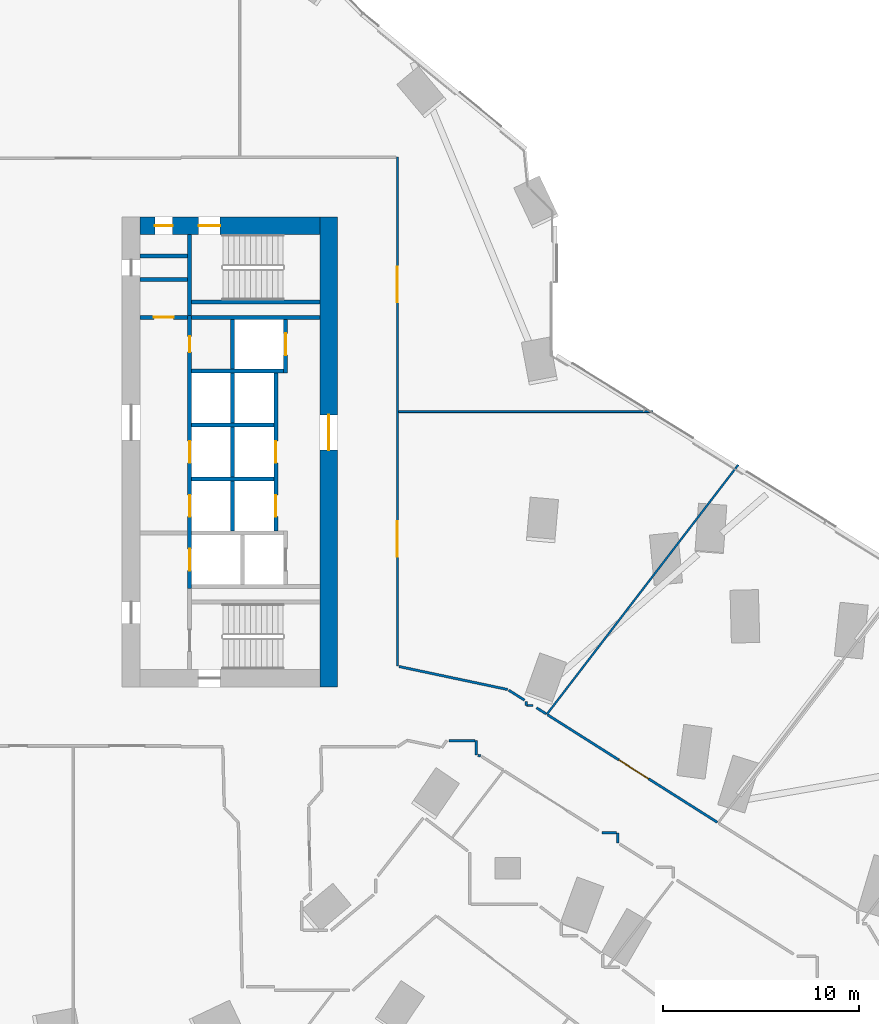
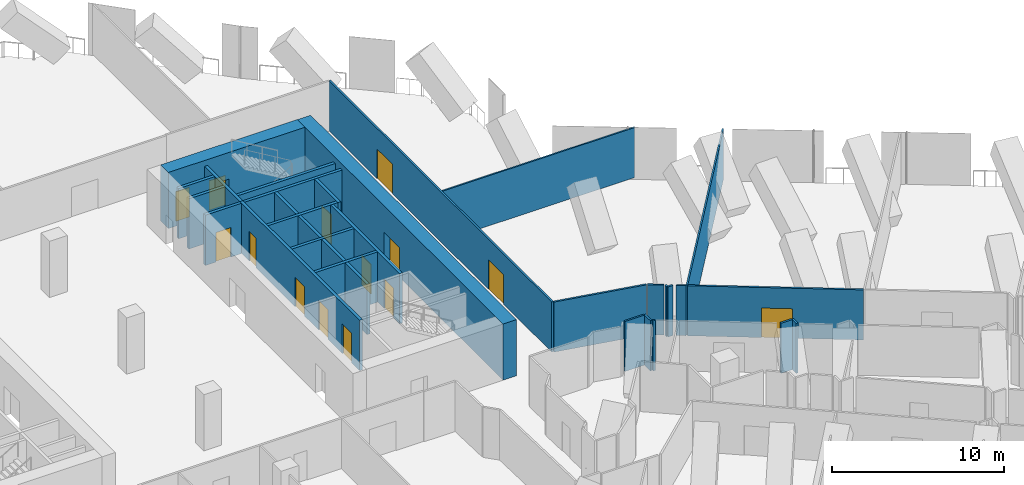
# One storey, part 28 of 32: 32 walls, 14 doors, 14 openings.
"""IFC4 building model written with IfcOpenShell, lengths in metres."""

from ifc_helpers import new_model, si_unit, direction, frame, frame_2d, origin, place, context, subcontext, project, spatial, rectangle, extrude, material, layer, layer_set, type_object, element, fill, save


model = new_model("IFC4")

# Units and contexts
model_context = context("Model", 3, precision=1e-05, world=origin(), true_north=direction((0.0, 1.0)))
body_context = subcontext(model_context, "Body", "Model", "MODEL_VIEW")
ifc_project = project(units=[si_unit("LENGTHUNIT", "METRE"), si_unit("AREAUNIT", "SQUARE_METRE"), si_unit("VOLUMEUNIT", "CUBIC_METRE"), si_unit("PLANEANGLEUNIT", "RADIAN"), si_unit("MASSUNIT", "GRAM", prefix="KILO")], contexts=[model_context])

# Site, building, storey
site_placement = place(None, origin())
site = spatial("IfcSite", under=ifc_project, at=site_placement, CompositionType="ELEMENT")
building_placement = place(site_placement, origin())
building = spatial("IfcBuilding", under=site, at=building_placement, Name="Orlundy Tower", CompositionType="ELEMENT")
storey_placement = place(building_placement, frame((0.0, 0.0, 33.300048828125)))
storey = spatial("IfcBuildingStorey", under=building, at=storey_placement, Name="L06", CompositionType="ELEMENT", Elevation=33.300048828125)

# Wall, openings, doors
ifc_material_1 = material(Name="Concrete C80/95", Category="concrete")
ifc_layer_1 = layer(ifc_material_1, 0.89990234375)
ifc_layer_set_1 = layer_set([ifc_layer_1], Name="CORE WALL 900 C80/95")
wall_type_1 = type_object("IfcWallType", Name="CORE WALL 900 C80/95", PredefinedType="SHEAR", material=ifc_layer_set_1)
wall_1_placement = place(storey_placement, frame((8.89990234375, 11.550048828125, 0.0), z_axis=(0.0, 0.0, 1.0), x_axis=(1.0, 0.0, 0.0)))
wall_1 = element("IfcWall", 1, at=wall_1_placement, inside=storey, type_object=wall_type_1, Name="Core wall E-N L06", PredefinedType="SHEAR", context=body_context, shape_type="SweptSolid", body=[
    extrude(rectangle(XDim=9.2001953125, YDim=0.89990234375, at=frame_2d((4.60009765625, 0.0))), origin(), (0.0, 0.0, 1.0), 4.0),
])
opening_1_placement = place(wall_1_placement, frame((3.0, 0.0, 0.0)))
opening_1 = element("IfcOpeningElement", 2, at=opening_1_placement, cuts=wall_1, Name="Opening 07062", PredefinedType="OPENING", context=body_context, shape_type="SweptSolid", body=[
    extrude(rectangle(XDim=1.10009765625, YDim=2.10009765625, at=frame_2d((0.550048828125, 1.050048828125))), frame((0.0, 0.4599609375, 0.0), z_axis=(0.0, -1.0, 0.0), x_axis=(1.0, 0.0, 0.0)), (0.0, 0.0, 1.0), 0.919921875),
])
opening_2_placement = place(wall_1_placement, frame((0.77001953125, 0.0, 0.0)))
opening_2 = element("IfcOpeningElement", 3, at=opening_2_placement, cuts=wall_1, Name="Opening 07064", PredefinedType="OPENING", context=body_context, shape_type="SweptSolid", body=[
    extrude(rectangle(XDim=0.89990234375, YDim=2.10009765625, at=frame_2d((0.449951171875, 1.050048828125))), frame((0.0, 0.4599609375, 0.0), z_axis=(0.0, -1.0, 0.0), x_axis=(1.0, 0.0, 0.0)), (0.0, 0.0, 1.0), 0.919921875),
])
ifc_material_2 = material(Name="Timber door set", Category="wood")
door_type_1 = type_object("IfcDoorType", Name="Room Door 900x2100", OperationType="SINGLE_SWING_LEFT", PredefinedType="DOOR", material=ifc_material_2)
door_1_placement = place(opening_2_placement, origin())
door_1 = element("IfcDoor", 4, at=door_1_placement, inside=storey, type_object=door_type_1, Name="Store door 07064", OperationType="SINGLE_SWING_LEFT", OverallHeight=2.10009765625, OverallWidth=0.89990234375, PredefinedType="DOOR", context=body_context, shape_type="SweptSolid", body=[
    extrude(rectangle(XDim=0.89990234375, YDim=2.10009765625, at=frame_2d((0.449951171875, 1.050048828125))), frame((0.0, 0.02490234375, 0.0), z_axis=(0.0, -1.0, 0.0), x_axis=(1.0, 0.0, 0.0)), (0.0, 0.0, 1.0), 0.050048828125),
])
fill(opening_2, door_1)
ifc_material_3 = material(Name="Steel door set", Category="steel")
door_type_2 = type_object("IfcDoorType", Name="Stair Door 1100x2100", OperationType="SINGLE_SWING_LEFT", PredefinedType="DOOR", material=ifc_material_3)
door_2_placement = place(opening_1_placement, origin())
door_2 = element("IfcDoor", 5, at=door_2_placement, inside=storey, type_object=door_type_2, Name="Stair door 07062", OperationType="SINGLE_SWING_LEFT", OverallHeight=2.10009765625, OverallWidth=1.10009765625, PredefinedType="DOOR", context=body_context, shape_type="SweptSolid", body=[
    extrude(rectangle(XDim=1.10009765625, YDim=2.10009765625, at=frame_2d((0.550048828125, 1.050048828125))), frame((0.0, 0.02490234375, 0.0), z_axis=(0.0, -1.0, 0.0), x_axis=(1.0, 0.0, 0.0)), (0.0, 0.0, 1.0), 0.050048828125),
])
fill(opening_1, door_2)

# Wall, opening, door
wall_2_placement = place(storey_placement, frame((18.550048828125, -12.0, 0.0), z_axis=(0.0, 0.0, 1.0), x_axis=(0.0, 1.0, 0.0)))
wall_2 = element("IfcWall", 6, at=wall_2_placement, inside=storey, type_object=wall_type_1, Name="Core wall E-E L06", PredefinedType="SHEAR", context=body_context, shape_type="SweptSolid", body=[
    extrude(rectangle(XDim=24.0, YDim=0.89990234375, at=frame_2d((12.0, 0.0))), origin(), (0.0, 0.0, 1.0), 4.0),
])
opening_3_placement = place(wall_2_placement, frame((12.10009765625, 0.0, 0.0)))
opening_3 = element("IfcOpeningElement", 7, at=opening_3_placement, cuts=wall_2, Name="Opening 07059", PredefinedType="OPENING", context=body_context, shape_type="SweptSolid", body=[
    extrude(rectangle(XDim=1.800048828125, YDim=2.10009765625, at=frame_2d((0.89990234375, 1.050048828125))), frame((0.0, 0.4599609375, 0.0), z_axis=(0.0, -1.0, 0.0), x_axis=(1.0, 0.0, 0.0)), (0.0, 0.0, 1.0), 0.919921875),
])
ifc_material_4 = material(Name="Timber door set", Category="wood")
door_type_3 = type_object("IfcDoorType", Name="Lobby Door 1800x2100", OperationType="DOUBLE_DOOR_DOUBLE_SWING", PredefinedType="DOOR", material=ifc_material_4)
door_3_placement = place(opening_3_placement, origin())
door_3 = element("IfcDoor", 8, at=door_3_placement, inside=storey, type_object=door_type_3, Name="Lift lobby door 07059", OperationType="SINGLE_SWING_RIGHT", OverallHeight=2.10009765625, OverallWidth=1.800048828125, PredefinedType="DOOR", context=body_context, shape_type="SweptSolid", body=[
    extrude(rectangle(XDim=1.800048828125, YDim=2.10009765625, at=frame_2d((0.89990234375, 1.050048828125))), frame((0.0, 0.02490234375, 0.0), z_axis=(0.0, -1.0, 0.0), x_axis=(1.0, 0.0, 0.0)), (0.0, 0.0, 1.0), 0.050048828125),
])
fill(opening_3, door_3)

# Walls
ifc_material_5 = material(Name="Gypsum board partition")
ifc_layer_2 = layer(ifc_material_5, 0.10009765625)
ifc_layer_set_2 = layer_set([ifc_layer_2], Name="Floor partition 100")
wall_type_2 = type_object("IfcWallType", Name="Floor partition 100", PredefinedType="PARTITIONING", material=ifc_layer_set_2)
wall_3_placement = place(storey_placement, frame((22.113037109375, 2.056884765625, 0.0), z_axis=(0.0, 0.0, 1.0), x_axis=(1.0, 0.0, 0.0)))
element("IfcWall", 9, at=wall_3_placement, inside=storey, type_object=wall_type_2, Name="wall-int-L06-081", PredefinedType="PARTITIONING", context=body_context, shape_type="SweptSolid", body=[
    extrude(rectangle(XDim=12.966064453125, YDim=0.10009765625, at=frame_2d((6.48291015625, 0.0))), origin(), (0.0, 0.0, 1.0), 3.56005859375),
])
wall_4_placement = place(storey_placement, frame((29.674072265625, -13.39111328125, 0.0), z_axis=(0.0, 0.0, 1.0), x_axis=(0.608731304684, 0.79337645459, 0.0)))
element("IfcWall", 10, at=wall_4_placement, inside=storey, type_object=wall_type_2, Name="wall-int-L06-126", PredefinedType="PARTITIONING", context=body_context, shape_type="SweptSolid", body=[
    extrude(rectangle(XDim=16.052978515625, YDim=0.10009765625, at=frame_2d((8.0263671875, 0.0))), origin(), (0.0, 0.0, 1.0), 3.56005859375),
])
ifc_material_6 = material(Name="Gypsum board partition, double layer")
ifc_layer_3 = layer(ifc_material_6, 0.125)
ifc_layer_set_3 = layer_set([ifc_layer_3], Name="Floor partition 125")
wall_type_3 = type_object("IfcWallType", Name="Floor partition 125", PredefinedType="PARTITIONING", material=ifc_layer_set_3)
wall_5_placement = place(storey_placement, frame((29.14892578125, -13.05810546875, 0.0), z_axis=(0.0, 0.0, 1.0), x_axis=(0.844889827786, -0.534940350791, 0.0)))
element("IfcWall", 11, at=wall_5_placement, inside=storey, type_object=wall_type_3, Name="wall-int-L06-040", PredefinedType="PARTITIONING", context=body_context, shape_type="SweptSolid", body=[
    extrude(rectangle(XDim=0.57177734375, YDim=0.125, at=frame_2d((0.285888671875, 0.0))), origin(), (0.0, 0.0, 1.0), 3.56005859375),
])
wall_6_placement = place(storey_placement, frame((27.73095703125, -12.158935546875, 0.0), z_axis=(0.0, 0.0, 1.0), x_axis=(0.844742160037, -0.535173507431, 0.0)))
element("IfcWall", 12, at=wall_6_placement, inside=storey, type_object=wall_type_3, Name="wall-int-L06-043", PredefinedType="PARTITIONING", context=body_context, shape_type="SweptSolid", body=[
    extrude(rectangle(XDim=0.95654296875, YDim=0.125, at=frame_2d((0.478271484375, 0.0))), origin(), (0.0, 0.0, 1.0), 3.56005859375),
])

# Wall, opening, door
wall_7_placement = place(storey_placement, frame((29.716064453125, -13.41796875, 0.0), z_axis=(0.0, 0.0, 1.0), x_axis=(0.844839535243, -0.535019775047, 0.0)))
wall_7 = element("IfcWall", 13, at=wall_7_placement, inside=storey, type_object=wall_type_3, Name="wall-int-L06-044", PredefinedType="PARTITIONING", context=body_context, shape_type="SweptSolid", body=[
    extrude(rectangle(XDim=10.248046875, YDim=0.125, at=frame_2d((5.1240234375, 0.0))), origin(), (0.0, 0.0, 1.0), 3.56005859375),
])
opening_4_placement = place(wall_7_placement, frame((4.300048828125, 0.0, 0.0)))
opening_4 = element("IfcOpeningElement", 14, at=opening_4_placement, cuts=wall_7, Name="Opening 07100", PredefinedType="OPENING", context=body_context, shape_type="SweptSolid", body=[
    extrude(rectangle(XDim=1.800048828125, YDim=2.10009765625, at=frame_2d((0.89990234375, 1.050048828125))), frame((0.0, 0.072509765625, 0.0), z_axis=(0.0, -1.0, 0.0), x_axis=(1.0, 0.0, 0.0)), (0.0, 0.0, 1.0), 0.14501953125),
])
ifc_material_7 = material(Name="Timber door leaf", Category="wood")
door_type_4 = type_object("IfcDoorType", Name="Floor door double 1800 FD30S", OperationType="NOTDEFINED", PredefinedType="DOOR", material=ifc_material_7)
door_4_placement = place(opening_4_placement, origin())
door_4 = element("IfcDoor", 15, at=door_4_placement, inside=storey, type_object=door_type_4, Name="Door 07100", OperationType="DOUBLE_DOOR_SINGLE_SWING", OverallHeight=2.10009765625, OverallWidth=1.800048828125, PredefinedType="DOOR", context=body_context, shape_type="SweptSolid", body=[
    extrude(rectangle(XDim=1.800048828125, YDim=2.10009765625, at=frame_2d((0.89990234375, 1.050048828125))), frame((0.0, 0.02490234375, 0.0), z_axis=(0.0, -1.0, 0.0), x_axis=(1.0, 0.0, 0.0)), (0.0, 0.0, 1.0), 0.050048828125),
])
fill(opening_4, door_4)

# Walls
wall_8_placement = place(storey_placement, frame((22.1259765625, -10.949951171875, 0.0), z_axis=(0.0, 0.0, 1.0), x_axis=(0.978293887618, -0.207222270641, 0.0)))
element("IfcWall", 16, at=wall_8_placement, inside=storey, type_object=wall_type_3, Name="wall-int-L06-046", PredefinedType="PARTITIONING", context=body_context, shape_type="SweptSolid", body=[
    extrude(rectangle(XDim=5.67529296875, YDim=0.125, at=frame_2d((2.837646484375, 0.0))), origin(), (0.0, 0.0, 1.0), 3.56005859375),
])
wall_9_placement = place(storey_placement, frame((26.153076171875, -15.48388671875, 0.0), z_axis=(0.0, 0.0, 1.0), x_axis=(0.979226570581, -0.202769138353, 0.0)))
element("IfcWall", 17, at=wall_9_placement, inside=storey, type_object=wall_type_3, Name="wall-int-L06-047", PredefinedType="PARTITIONING", context=body_context, shape_type="SweptSolid", body=[
    extrude(rectangle(XDim=0.148193359375, YDim=0.125, at=frame_2d((0.07421875, 0.0))), origin(), (0.0, 0.0, 1.0), 3.56005859375),
])
wall_10_placement = place(storey_placement, frame((32.489990234375, -19.43603515625, 0.0), z_axis=(0.0, 0.0, 1.0), x_axis=(1.0, 0.0, 0.0)))
element("IfcWall", 18, at=wall_10_placement, inside=storey, type_object=wall_type_3, Name="wall-int-L06-070", PredefinedType="PARTITIONING", context=body_context, shape_type="SweptSolid", body=[
    extrude(rectangle(XDim=0.751953125, YDim=0.125, at=frame_2d((0.3759765625, 0.0))), origin(), (0.0, 0.0, 1.0), 3.56005859375),
])
wall_11_placement = place(storey_placement, frame((24.68505859375, -14.73095703125, 0.0), z_axis=(0.0, 0.0, 1.0), x_axis=(1.0, 0.0, 0.0)))
element("IfcWall", 19, at=wall_11_placement, inside=storey, type_object=wall_type_3, Name="wall-int-L06-077", PredefinedType="PARTITIONING", context=body_context, shape_type="SweptSolid", body=[
    extrude(rectangle(XDim=1.329833984375, YDim=0.125, at=frame_2d((0.6650390625, 0.0))), origin(), (0.0, 0.0, 1.0), 3.56005859375),
])
wall_12_placement = place(storey_placement, frame((28.635009765625, -12.94189453125, 0.0), z_axis=(0.0, 0.0, 1.0), x_axis=(1.0, 0.0, 0.0)))
element("IfcWall", 20, at=wall_12_placement, inside=storey, type_object=wall_type_3, Name="wall-int-L06-078", PredefinedType="PARTITIONING", context=body_context, shape_type="SweptSolid", body=[
    extrude(rectangle(XDim=0.33203125, YDim=0.125, at=frame_2d((0.166015625, 0.0))), origin(), (0.0, 0.0, 1.0), 3.56005859375),
])
wall_13_placement = place(storey_placement, frame((33.303955078125, -19.951904296875, 0.0), z_axis=(0.0, 0.0, 1.0), x_axis=(0.0, 1.0, 0.0)))
element("IfcWall", 21, at=wall_13_placement, inside=storey, type_object=wall_type_3, Name="wall-int-L06-136", PredefinedType="PARTITIONING", context=body_context, shape_type="SweptSolid", body=[
    extrude(rectangle(XDim=0.515869140625, YDim=0.125, at=frame_2d((0.2578125, 0.0))), origin(), (0.0, 0.0, 1.0), 3.56005859375),
])
wall_14_placement = place(storey_placement, frame((28.635009765625, -12.94189453125, 0.0), z_axis=(0.0, 0.0, 1.0), x_axis=(0.0, 1.0, 0.0)))
element("IfcWall", 22, at=wall_14_placement, inside=storey, type_object=wall_type_3, Name="wall-int-L06-139", PredefinedType="PARTITIONING", context=body_context, shape_type="SweptSolid", body=[
    extrude(rectangle(XDim=0.2099609375, YDim=0.125, at=frame_2d((0.10498046875, 0.0))), origin(), (0.0, 0.0, 1.0), 3.56005859375),
])
wall_15_placement = place(storey_placement, frame((26.077880859375, -15.468017578125, 0.0), z_axis=(0.0, 0.0, 1.0), x_axis=(0.0, 1.0, 0.0)))
element("IfcWall", 23, at=wall_15_placement, inside=storey, type_object=wall_type_3, Name="wall-int-L06-140", PredefinedType="PARTITIONING", context=body_context, shape_type="SweptSolid", body=[
    extrude(rectangle(XDim=0.737060546875, YDim=0.125, at=frame_2d((0.36865234375, 0.0))), origin(), (0.0, 0.0, 1.0), 3.56005859375),
])

# Wall, openings, doors
wall_16_placement = place(storey_placement, frame((22.051025390625, 15.050048828125, 0.0), z_axis=(0.0, 0.0, 1.0), x_axis=(0.0, -1.0, 0.0)))
wall_16 = element("IfcWall", 24, at=wall_16_placement, inside=storey, type_object=wall_type_3, Name="wall-int-L06-143", PredefinedType="PARTITIONING", context=body_context, shape_type="SweptSolid", body=[
    extrude(rectangle(XDim=25.984130859375, YDim=0.125, at=frame_2d((12.9921875, 0.0))), origin(), (0.0, 0.0, 1.0), 3.56005859375),
])
opening_5_placement = place(wall_16_placement, frame((18.593017578125, 0.0, 0.0)))
opening_5 = element("IfcOpeningElement", 25, at=opening_5_placement, cuts=wall_16, Name="Opening 07126", PredefinedType="OPENING", context=body_context, shape_type="SweptSolid", body=[
    extrude(rectangle(XDim=1.800048828125, YDim=2.10009765625, at=frame_2d((0.89990234375, 1.050048828125))), frame((0.0, 0.072509765625, 0.0), z_axis=(0.0, -1.0, 0.0), x_axis=(1.0, 0.0, 0.0)), (0.0, 0.0, 1.0), 0.14501953125),
])
opening_6_placement = place(wall_16_placement, frame((5.60009765625, 0.0, 0.0)))
opening_6 = element("IfcOpeningElement", 26, at=opening_6_placement, cuts=wall_16, Name="Opening 07127", PredefinedType="OPENING", context=body_context, shape_type="SweptSolid", body=[
    extrude(rectangle(XDim=1.800048828125, YDim=2.10009765625, at=frame_2d((0.89990234375, 1.050048828125))), frame((0.0, 0.072509765625, 0.0), z_axis=(0.0, -1.0, 0.0), x_axis=(1.0, 0.0, 0.0)), (0.0, 0.0, 1.0), 0.14501953125),
])
door_5_placement = place(opening_5_placement, origin())
door_5 = element("IfcDoor", 27, at=door_5_placement, inside=storey, type_object=door_type_4, Name="Door 07126", OperationType="DOUBLE_DOOR_SINGLE_SWING", OverallHeight=2.10009765625, OverallWidth=1.800048828125, PredefinedType="DOOR", context=body_context, shape_type="SweptSolid", body=[
    extrude(rectangle(XDim=1.800048828125, YDim=2.10009765625, at=frame_2d((0.89990234375, 1.050048828125))), frame((0.0, 0.02490234375, 0.0), z_axis=(0.0, -1.0, 0.0), x_axis=(1.0, 0.0, 0.0)), (0.0, 0.0, 1.0), 0.050048828125),
])
fill(opening_5, door_5)
door_6_placement = place(opening_6_placement, origin())
door_6 = element("IfcDoor", 28, at=door_6_placement, inside=storey, type_object=door_type_4, Name="Door 07127", OperationType="DOUBLE_DOOR_SINGLE_SWING", OverallHeight=2.10009765625, OverallWidth=1.800048828125, PredefinedType="DOOR", context=body_context, shape_type="SweptSolid", body=[
    extrude(rectangle(XDim=1.800048828125, YDim=2.10009765625, at=frame_2d((0.89990234375, 1.050048828125))), frame((0.0, 0.02490234375, 0.0), z_axis=(0.0, -1.0, 0.0), x_axis=(1.0, 0.0, 0.0)), (0.0, 0.0, 1.0), 0.050048828125),
])
fill(opening_6, door_6)

# Walls
ifc_material_8 = material(Name="Concrete C40/50", Category="concrete")
ifc_layer_4 = layer(ifc_material_8, 0.199951171875)
ifc_layer_set_4 = layer_set([ifc_layer_4], Name="Load-bearing Shaft Wall 200")
wall_type_4 = type_object("IfcWallType", Name="Load-bearing Shaft Wall 200", PredefinedType="SOLIDWALL", material=ifc_layer_set_4)
wall_17_placement = place(storey_placement, frame((11.43994140625, 11.10009765625, 0.0), z_axis=(0.0, 0.0, 1.0), x_axis=(0.0, -1.0, 0.0)))
element("IfcWall", 29, at=wall_17_placement, inside=storey, type_object=wall_type_4, Name="Shaft wall E07-stair-end-s", PredefinedType="SOLIDWALL", context=body_context, shape_type="SweptSolid", body=[
    extrude(rectangle(XDim=4.125, YDim=0.199951171875, at=frame_2d((2.0625, 0.0))), origin(), (0.0, 0.0, 1.0), 3.579833984375),
])
wall_18_placement = place(storey_placement, frame((11.5400390625, 7.64990234375, 0.0), z_axis=(0.0, 0.0, 1.0), x_axis=(1.0, 0.0, 0.0)))
element("IfcWall", 30, at=wall_18_placement, inside=storey, type_object=wall_type_4, Name="Shaft wall E07-stair-side-s", PredefinedType="SOLIDWALL", context=body_context, shape_type="SweptSolid", body=[
    extrude(rectangle(XDim=6.56005859375, YDim=0.199951171875, at=frame_2d((3.280029296875, 0.0))), origin(), (0.0, 0.0, 1.0), 3.579833984375),
])

# Wall, opening, door
ifc_material_9 = material(Name="Gypsum board partition on steel studs", Category="steel")
ifc_layer_5 = layer(ifc_material_9, 0.199951171875)
ifc_layer_set_5 = layer_set([ifc_layer_5], Name="Partition 200")
wall_type_5 = type_object("IfcWallType", Name="Partition 200", PredefinedType="PARTITIONING", material=ifc_layer_set_5)
wall_19_placement = place(storey_placement, frame((8.89990234375, 6.875, 0.0), z_axis=(0.0, 0.0, 1.0), x_axis=(1.0, 0.0, 0.0)))
wall_19 = element("IfcWall", 31, at=wall_19_placement, inside=storey, type_object=wall_type_5, Name="Partition wall E07-end-s", PredefinedType="PARTITIONING", context=body_context, shape_type="SweptSolid", body=[
    extrude(rectangle(XDim=2.440185546875, YDim=0.199951171875, at=frame_2d((1.22021484375, 0.0))), origin(), (0.0, 0.0, 1.0), 3.579833984375),
])
opening_7_placement = place(wall_19_placement, frame((0.719970703125, 0.0, 0.0)))
opening_7 = element("IfcOpeningElement", 32, at=opening_7_placement, cuts=wall_19, Name="Opening 07066", PredefinedType="OPENING", context=body_context, shape_type="SweptSolid", body=[
    extrude(rectangle(XDim=1.0, YDim=2.10009765625, at=frame_2d((0.5, 1.050048828125))), frame((0.0, 0.110107421875, 0.0), z_axis=(0.0, -1.0, 0.0), x_axis=(1.0, 0.0, 0.0)), (0.0, 0.0, 1.0), 0.22021484375),
])
ifc_material_10 = material(Name="Timber door set", Category="wood")
door_type_5 = type_object("IfcDoorType", Name="Accessible Door 1000x2100", OperationType="SINGLE_SWING_LEFT", PredefinedType="DOOR", material=ifc_material_10)
door_7_placement = place(opening_7_placement, origin())
door_7 = element("IfcDoor", 33, at=door_7_placement, inside=storey, type_object=door_type_5, Name="Accessible WC door 07066", OperationType="SINGLE_SWING_RIGHT", OverallHeight=2.10009765625, OverallWidth=1.0, PredefinedType="DOOR", context=body_context, shape_type="SweptSolid", body=[
    extrude(rectangle(XDim=1.0, YDim=2.10009765625, at=frame_2d((0.5, 1.050048828125))), frame((0.0, 0.02490234375, 0.0), z_axis=(0.0, -1.0, 0.0), x_axis=(1.0, 0.0, 0.0)), (0.0, 0.0, 1.0), 0.050048828125),
])
fill(opening_7, door_7)

# Walls
for number, where, z_axis, x_axis, name in (
    (34, (8.89990234375, 10.0, 0.0), (0.0, 0.0, 1.0), (1.0, 0.0, 0.0), "Partition wall E07-room-s0"),
    (35, (8.89990234375, 8.800048828125, 0.0), (0.0, 0.0, 1.0), (1.0, 0.0, 0.0), "Partition wall E07-room-s1"),
):
    element("IfcWall", number, at=place(storey_placement, frame(where, z_axis=z_axis, x_axis=x_axis)), inside=storey, type_object=wall_type_5, Name=name, PredefinedType="PARTITIONING", context=body_context, shape_type="SweptSolid", body=[
        extrude(rectangle(XDim=2.440185546875, YDim=0.199951171875, at=frame_2d((1.22021484375, 0.0))), origin(), (0.0, 0.0, 1.0), 3.579833984375),
    ])
ifc_material_11 = material(Name="Fire-rated blockwork shaft wall", Category="masonry")
ifc_layer_6 = layer(ifc_material_11, 0.199951171875)
ifc_layer_set_6 = layer_set([ifc_layer_6], Name="Shaft Wall 200")
wall_type_6 = type_object("IfcWallType", Name="Shaft Wall 200", PredefinedType="SOLIDWALL", material=ifc_layer_set_6)
wall_20_placement = place(storey_placement, frame((11.5400390625, 6.875, 0.0), z_axis=(0.0, 0.0, 1.0), x_axis=(1.0, 0.0, 0.0)))
element("IfcWall", 36, at=wall_20_placement, inside=storey, type_object=wall_type_6, Name="Shaft wall E07-zone-s", PredefinedType="SOLIDWALL", context=body_context, shape_type="SweptSolid", body=[
    extrude(rectangle(XDim=6.56005859375, YDim=0.199951171875, at=frame_2d((3.280029296875, 0.0))), origin(), (0.0, 0.0, 1.0), 3.579833984375),
])
wall_21_placement = place(storey_placement, frame((11.5400390625, 4.125, 0.0), z_axis=(0.0, 0.0, 1.0), x_axis=(1.0, 0.0, 0.0)))
element("IfcWall", 37, at=wall_21_placement, inside=storey, type_object=wall_type_6, Name="Shaft wall E07-cross-4.125", PredefinedType="SOLIDWALL", context=body_context, shape_type="SweptSolid", body=[
    extrude(rectangle(XDim=4.699951171875, YDim=0.199951171875, at=frame_2d((2.35009765625, 0.0))), origin(), (0.0, 0.0, 1.0), 3.579833984375),
])
for number, where, z_axis, x_axis, name in (
    (38, (11.5400390625, 1.375, 0.0), (0.0, 0.0, 1.0), (1.0, 0.0, 0.0), "Shaft wall E07-cross-1.375"),
    (39, (11.5400390625, -1.375, 0.0), (0.0, 0.0, 1.0), (1.0, 0.0, 0.0), "Shaft wall E07-cross+1.375"),
):
    element("IfcWall", number, at=place(storey_placement, frame(where, z_axis=z_axis, x_axis=x_axis)), inside=storey, type_object=wall_type_6, Name=name, PredefinedType="SOLIDWALL", context=body_context, shape_type="SweptSolid", body=[
        extrude(rectangle(XDim=4.199951171875, YDim=0.199951171875, at=frame_2d((2.10009765625, 0.0))), origin(), (0.0, 0.0, 1.0), 3.579833984375),
    ])

# Wall, openings, doors
wall_22_placement = place(storey_placement, frame((11.43994140625, 6.97509765625, 0.0), z_axis=(0.0, 0.0, 1.0), x_axis=(0.0, -1.0, 0.0)))
wall_22 = element("IfcWall", 40, at=wall_22_placement, inside=storey, type_object=wall_type_6, Name="Shaft wall E07-front-h", PredefinedType="SOLIDWALL", context=body_context, shape_type="SweptSolid", body=[
    extrude(rectangle(XDim=13.9501953125, YDim=0.199951171875, at=frame_2d((6.97509765625, 0.0))), origin(), (0.0, 0.0, 1.0), 3.579833984375),
])
opening_8_placement = place(wall_22_placement, frame((6.425048828125, 0.0, 0.0)))
opening_8 = element("IfcOpeningElement", 41, at=opening_8_placement, cuts=wall_22, Name="Opening 07051", PredefinedType="OPENING", context=body_context, shape_type="SweptSolid", body=[
    extrude(rectangle(XDim=1.10009765625, YDim=2.10009765625, at=frame_2d((0.550048828125, 1.050048828125))), frame((0.0, 0.110107421875, 0.0), z_axis=(0.0, -1.0, 0.0), x_axis=(1.0, 0.0, 0.0)), (0.0, 0.0, 1.0), 0.22021484375),
])
opening_9_placement = place(wall_22_placement, frame((9.175048828125, 0.0, 0.0)))
opening_9 = element("IfcOpeningElement", 42, at=opening_9_placement, cuts=wall_22, Name="Opening 07053", PredefinedType="OPENING", context=body_context, shape_type="SweptSolid", body=[
    extrude(rectangle(XDim=1.10009765625, YDim=2.10009765625, at=frame_2d((0.550048828125, 1.050048828125))), frame((0.0, 0.110107421875, 0.0), z_axis=(0.0, -1.0, 0.0), x_axis=(1.0, 0.0, 0.0)), (0.0, 0.0, 1.0), 0.22021484375),
])
opening_10_placement = place(wall_22_placement, frame((11.925048828125, 0.0, 0.0)))
opening_10 = element("IfcOpeningElement", 43, at=opening_10_placement, cuts=wall_22, Name="Opening 07055", PredefinedType="OPENING", context=body_context, shape_type="SweptSolid", body=[
    extrude(rectangle(XDim=1.10009765625, YDim=2.10009765625, at=frame_2d((0.550048828125, 1.050048828125))), frame((0.0, 0.110107421875, 0.0), z_axis=(0.0, -1.0, 0.0), x_axis=(1.0, 0.0, 0.0)), (0.0, 0.0, 1.0), 0.22021484375),
])
opening_11_placement = place(wall_22_placement, frame((1.074951171875, 0.0, 0.0)))
opening_11 = element("IfcOpeningElement", 44, at=opening_11_placement, cuts=wall_22, Name="Opening 07057", PredefinedType="OPENING", context=body_context, shape_type="SweptSolid", body=[
    extrude(rectangle(XDim=0.800048828125, YDim=2.10009765625, at=frame_2d((0.39990234375, 1.050048828125))), frame((0.0, 0.110107421875, 0.0), z_axis=(0.0, -1.0, 0.0), x_axis=(1.0, 0.0, 0.0)), (0.0, 0.0, 1.0), 0.22021484375),
])
ifc_material_12 = material(Name="Steel door set", Category="steel")
door_type_6 = type_object("IfcDoorType", Name="Landing Door 1100x2100", OperationType="DOUBLE_DOOR_SLIDING", PredefinedType="DOOR", material=ifc_material_12)
door_8_placement = place(opening_8_placement, origin())
door_8 = element("IfcDoor", 45, at=door_8_placement, inside=storey, type_object=door_type_6, Name="Lift landing door LP-10 07051", OperationType="DOUBLE_DOOR_SLIDING", OverallHeight=2.10009765625, OverallWidth=1.10009765625, PredefinedType="DOOR", context=body_context, shape_type="SweptSolid", body=[
    extrude(rectangle(XDim=1.10009765625, YDim=2.10009765625, at=frame_2d((0.550048828125, 1.050048828125))), frame((0.0, 0.02490234375, 0.0), z_axis=(0.0, -1.0, 0.0), x_axis=(1.0, 0.0, 0.0)), (0.0, 0.0, 1.0), 0.050048828125),
])
fill(opening_8, door_8)
door_9_placement = place(opening_9_placement, origin())
door_9 = element("IfcDoor", 46, at=door_9_placement, inside=storey, type_object=door_type_6, Name="Lift landing door LP-07 07053", OperationType="DOUBLE_DOOR_SLIDING", OverallHeight=2.10009765625, OverallWidth=1.10009765625, PredefinedType="DOOR", context=body_context, shape_type="SweptSolid", body=[
    extrude(rectangle(XDim=1.10009765625, YDim=2.10009765625, at=frame_2d((0.550048828125, 1.050048828125))), frame((0.0, 0.02490234375, 0.0), z_axis=(0.0, -1.0, 0.0), x_axis=(1.0, 0.0, 0.0)), (0.0, 0.0, 1.0), 0.050048828125),
])
fill(opening_9, door_9)
door_10_placement = place(opening_10_placement, origin())
door_10 = element("IfcDoor", 47, at=door_10_placement, inside=storey, type_object=door_type_6, Name="Lift landing door FL2 07055", OperationType="DOUBLE_DOOR_SLIDING", OverallHeight=2.10009765625, OverallWidth=1.10009765625, PredefinedType="DOOR", context=body_context, shape_type="SweptSolid", body=[
    extrude(rectangle(XDim=1.10009765625, YDim=2.10009765625, at=frame_2d((0.550048828125, 1.050048828125))), frame((0.0, 0.02490234375, 0.0), z_axis=(0.0, -1.0, 0.0), x_axis=(1.0, 0.0, 0.0)), (0.0, 0.0, 1.0), 0.050048828125),
])
fill(opening_10, door_10)
ifc_material_13 = material(Name="Timber door set", Category="wood")
door_type_7 = type_object("IfcDoorType", Name="Riser Door 800x2100", OperationType="SINGLE_SWING_LEFT", PredefinedType="DOOR", material=ifc_material_13)
door_11_placement = place(opening_11_placement, origin())
door_11 = element("IfcDoor", 48, at=door_11_placement, inside=storey, type_object=door_type_7, Name="Pantry Store door 07057", OperationType="SINGLE_SWING_LEFT", OverallHeight=2.10009765625, OverallWidth=0.800048828125, PredefinedType="DOOR", context=body_context, shape_type="SweptSolid", body=[
    extrude(rectangle(XDim=0.800048828125, YDim=2.10009765625, at=frame_2d((0.39990234375, 1.050048828125))), frame((0.0, 0.02490234375, 0.0), z_axis=(0.0, -1.0, 0.0), x_axis=(1.0, 0.0, 0.0)), (0.0, 0.0, 1.0), 0.050048828125),
])
fill(opening_11, door_11)

# Walls
for number, where, z_axis, x_axis, name in (
    (49, (13.639892578125, 6.77490234375, 0.0), (0.0, 0.0, 1.0), (0.0, -1.0, 0.0), "Shaft wall E07-mid-a"),
    (50, (13.639892578125, 4.02490234375, 0.0), (0.0, 0.0, 1.0), (0.0, -1.0, 0.0), "Shaft wall E07-mid-a.1"),
    (51, (13.639892578125, 1.27490234375, 0.0), (0.0, 0.0, 1.0), (0.0, -1.0, 0.0), "Shaft wall E07-mid-a.2"),
    (52, (13.639892578125, -1.47509765625, 0.0), (0.0, 0.0, 1.0), (0.0, -1.0, 0.0), "Shaft wall E07-mid-a.3"),
):
    element("IfcWall", number, at=place(storey_placement, frame(where, z_axis=z_axis, x_axis=x_axis)), inside=storey, type_object=wall_type_6, Name=name, PredefinedType="SOLIDWALL", context=body_context, shape_type="SweptSolid", body=[
        extrude(rectangle(XDim=2.5498046875, YDim=0.199951171875, at=frame_2d((1.27490234375, 0.0))), origin(), (0.0, 0.0, 1.0), 3.579833984375),
    ])

# Wall, opening, door
wall_23_placement = place(storey_placement, frame((16.340087890625, 6.77490234375, 0.0), z_axis=(0.0, 0.0, 1.0), x_axis=(0.0, -1.0, 0.0)))
wall_23 = element("IfcWall", 53, at=wall_23_placement, inside=storey, type_object=wall_type_6, Name="Shaft wall E07-front-o-a", PredefinedType="SOLIDWALL", context=body_context, shape_type="SweptSolid", body=[
    extrude(rectangle(XDim=2.75, YDim=0.199951171875, at=frame_2d((1.375, 0.0))), origin(), (0.0, 0.0, 1.0), 3.579833984375),
])
opening_12_placement = place(wall_23_placement, frame((0.72509765625, 0.0, 0.0)))
opening_12 = element("IfcOpeningElement", 54, at=opening_12_placement, cuts=wall_23, Name="Opening 07050", PredefinedType="OPENING", context=body_context, shape_type="SweptSolid", body=[
    extrude(rectangle(XDim=1.10009765625, YDim=2.10009765625, at=frame_2d((0.550048828125, 1.050048828125))), frame((0.0, 0.110107421875, 0.0), z_axis=(0.0, -1.0, 0.0), x_axis=(1.0, 0.0, 0.0)), (0.0, 0.0, 1.0), 0.22021484375),
])
door_12_placement = place(opening_12_placement, origin())
door_12 = element("IfcDoor", 55, at=door_12_placement, inside=storey, type_object=door_type_6, Name="Lift landing door LV-02 07050", OperationType="DOUBLE_DOOR_SLIDING", OverallHeight=2.10009765625, OverallWidth=1.10009765625, PredefinedType="DOOR", context=body_context, shape_type="SweptSolid", body=[
    extrude(rectangle(XDim=1.10009765625, YDim=2.10009765625, at=frame_2d((0.550048828125, 1.050048828125))), frame((0.0, 0.02490234375, 0.0), z_axis=(0.0, -1.0, 0.0), x_axis=(1.0, 0.0, 0.0)), (0.0, 0.0, 1.0), 0.050048828125),
])
fill(opening_12, door_12)

# Wall, openings, doors
wall_24_placement = place(storey_placement, frame((15.840087890625, 4.02490234375, 0.0), z_axis=(0.0, 0.0, 1.0), x_axis=(0.0, -1.0, 0.0)))
wall_24 = element("IfcWall", 56, at=wall_24_placement, inside=storey, type_object=wall_type_6, Name="Shaft wall E07-front-o-b", PredefinedType="SOLIDWALL", context=body_context, shape_type="SweptSolid", body=[
    extrude(rectangle(XDim=8.0498046875, YDim=0.199951171875, at=frame_2d((4.02490234375, 0.0))), origin(), (0.0, 0.0, 1.0), 3.579833984375),
])
opening_13_placement = place(wall_24_placement, frame((3.47509765625, 0.0, 0.0)))
opening_13 = element("IfcOpeningElement", 57, at=opening_13_placement, cuts=wall_24, Name="Opening 07052", PredefinedType="OPENING", context=body_context, shape_type="SweptSolid", body=[
    extrude(rectangle(XDim=1.10009765625, YDim=2.10009765625, at=frame_2d((0.550048828125, 1.050048828125))), frame((0.0, 0.110107421875, 0.0), z_axis=(0.0, -1.0, 0.0), x_axis=(1.0, 0.0, 0.0)), (0.0, 0.0, 1.0), 0.22021484375),
])
opening_14_placement = place(wall_24_placement, frame((6.22509765625, 0.0, 0.0)))
opening_14 = element("IfcOpeningElement", 58, at=opening_14_placement, cuts=wall_24, Name="Opening 07054", PredefinedType="OPENING", context=body_context, shape_type="SweptSolid", body=[
    extrude(rectangle(XDim=1.10009765625, YDim=2.10009765625, at=frame_2d((0.550048828125, 1.050048828125))), frame((0.0, 0.110107421875, 0.0), z_axis=(0.0, -1.0, 0.0), x_axis=(1.0, 0.0, 0.0)), (0.0, 0.0, 1.0), 0.22021484375),
])
door_13_placement = place(opening_13_placement, origin())
door_13 = element("IfcDoor", 59, at=door_13_placement, inside=storey, type_object=door_type_6, Name="Lift landing door LP-06 07052", OperationType="DOUBLE_DOOR_SLIDING", OverallHeight=2.10009765625, OverallWidth=1.10009765625, PredefinedType="DOOR", context=body_context, shape_type="SweptSolid", body=[
    extrude(rectangle(XDim=1.10009765625, YDim=2.10009765625, at=frame_2d((0.550048828125, 1.050048828125))), frame((0.0, 0.02490234375, 0.0), z_axis=(0.0, -1.0, 0.0), x_axis=(1.0, 0.0, 0.0)), (0.0, 0.0, 1.0), 0.050048828125),
])
fill(opening_13, door_13)
door_14_placement = place(opening_14_placement, origin())
door_14 = element("IfcDoor", 60, at=door_14_placement, inside=storey, type_object=door_type_6, Name="Lift landing door LP-08 07054", OperationType="DOUBLE_DOOR_SLIDING", OverallHeight=2.10009765625, OverallWidth=1.10009765625, PredefinedType="DOOR", context=body_context, shape_type="SweptSolid", body=[
    extrude(rectangle(XDim=1.10009765625, YDim=2.10009765625, at=frame_2d((0.550048828125, 1.050048828125))), frame((0.0, 0.02490234375, 0.0), z_axis=(0.0, -1.0, 0.0), x_axis=(1.0, 0.0, 0.0)), (0.0, 0.0, 1.0), 0.050048828125),
])
fill(opening_14, door_14)

save(model, "model.ifc")
